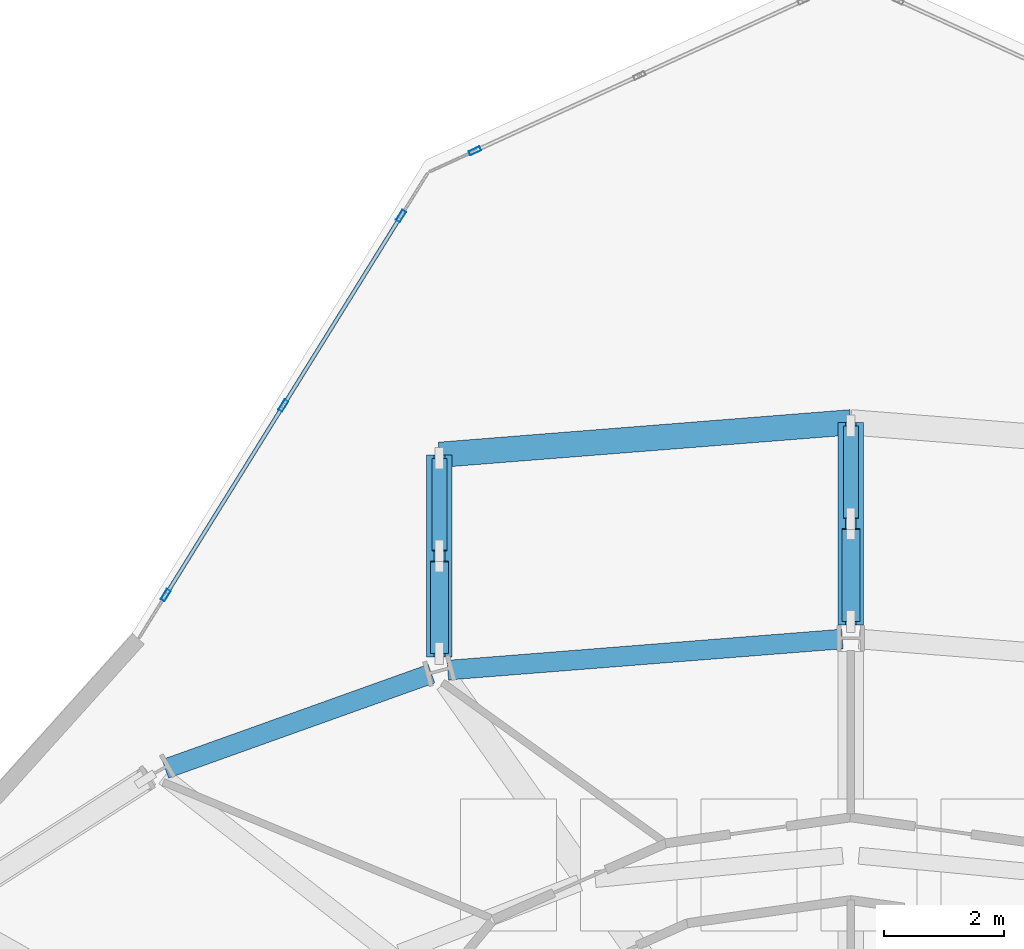
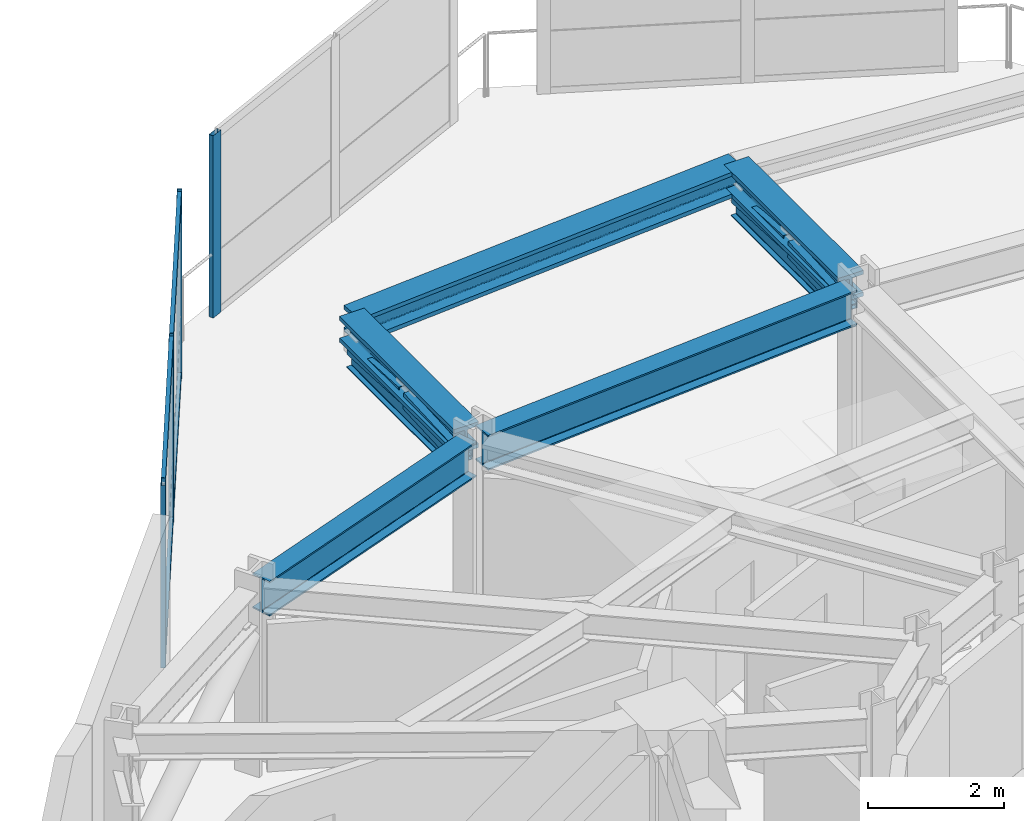
# One storey, part 8 of 19: 12 members, 7 beams, 2 elements without a shape of their own.
"""IFC4 building model written with IfcOpenShell, lengths in metres."""

from ifc_helpers import new_model, si_unit, direction, frame, origin, origin_2d, place, context, subcontext, project, spatial, hollow_rectangle, i_section, extrude, material, layer, layer_set, material_profile, profile_set, type_object, element, aggregate, save


model = new_model("IFC4")

# Units and contexts
model_context = context("Model", 3, precision=1e-05, world=origin(), true_north=direction((0.0, 1.0)))
body_context = subcontext(model_context, "Body", "Model", "MODEL_VIEW")
ifc_project = project(units=[si_unit("LENGTHUNIT", "METRE"), si_unit("AREAUNIT", "SQUARE_METRE"), si_unit("VOLUMEUNIT", "CUBIC_METRE"), si_unit("PLANEANGLEUNIT", "RADIAN"), si_unit("MASSUNIT", "GRAM", prefix="KILO")], contexts=[model_context])

# Site, building, storey
site_placement = place(None, origin())
site = spatial("IfcSite", under=ifc_project, at=site_placement, CompositionType="ELEMENT")
building_placement = place(site_placement, origin())
building = spatial("IfcBuilding", under=site, at=building_placement, Name="Solvane Sanctuary Tower", CompositionType="ELEMENT")
storey_placement = place(building_placement, frame((0.0, 0.0, 249.60009765625)))
storey = spatial("IfcBuildingStorey", under=building, at=storey_placement, Name="L76", CompositionType="ELEMENT", Elevation=249.60009765625)

# Beams
ifc_material_1 = material(Name="Steel ASTM A913 Grade 65", Category="steel")
ifc_material_profile_1 = material_profile(ifc_material_1, i_section(OverallWidth=0.422119140625, OverallDepth=0.465087890625, WebThickness=0.044921875, FlangeThickness=0.072509765625, FilletRadius=0.02490234375, at=origin_2d()), Name="W14X398")
ifc_profile_set_1 = profile_set([ifc_material_profile_1], Name="Steel ASTM A913 Grade 65")
beam_type_1 = type_object("IfcBeamType", Name="Beam B-CANT-CH W14X398", PredefinedType="BEAM", material=ifc_profile_set_1)
beam_1_placement = place(storey_placement, frame((25.143798828125, 38.36669921875, 3.08544921875), z_axis=(0.0, 1.0, 0.0), x_axis=(-1.0, 0.0, 0.0)))
element("IfcBeam", 1, at=beam_1_placement, inside=storey, type_object=beam_type_1, Name="L76 Sky-Dining Truss Top Chord C05", PredefinedType="BEAM", context=body_context, shape_type="SweptSolid", body=[
    extrude(i_section(OverallWidth=0.422119140625, OverallDepth=0.465087890625, WebThickness=0.044921875, FlangeThickness=0.072509765625, FilletRadius=0.02490234375, at=origin_2d()), origin(), (0.0, 0.0, 1.0), 3.37158203125),
])
beam_2_placement = place(storey_placement, frame((32.0, 38.90087890625, 3.08544921875), z_axis=(0.0, 1.0, 0.0), x_axis=(-1.0, 0.0, 0.0)))
element("IfcBeam", 2, at=beam_2_placement, inside=storey, type_object=beam_type_1, Name="L76 Sky-Dining Truss Top Chord C04", PredefinedType="BEAM", context=body_context, shape_type="SweptSolid", body=[
    extrude(i_section(OverallWidth=0.422119140625, OverallDepth=0.465087890625, WebThickness=0.044921875, FlangeThickness=0.072509765625, FilletRadius=0.02490234375, at=origin_2d()), origin(), (0.0, 0.0, 1.0), 3.379150390625),
])
beam_3_placement = place(storey_placement, frame((25.143798828125, 41.73828125, 3.08544921875), z_axis=(0.996892795984, 0.078770256536, 0.0), x_axis=(-0.078770256536, 0.996892795984, 0.0)))
element("IfcBeam", 3, at=beam_3_placement, inside=storey, type_object=beam_type_1, Name="L76 Sky-Dining Transverse Tie Beam 1", PredefinedType="BEAM", context=body_context, shape_type="SweptSolid", body=[
    extrude(i_section(OverallWidth=0.422119140625, OverallDepth=0.465087890625, WebThickness=0.044921875, FlangeThickness=0.072509765625, FilletRadius=0.02490234375, at=origin_2d()), origin(), (0.0, 0.0, 1.0), 6.877685546875),
])
ifc_material_2 = material(Name="Steel ASTM A992 Grade 50", Category="steel")
ifc_material_profile_2 = material_profile(ifc_material_2, i_section(OverallWidth=0.180908203125, OverallDepth=0.4169921875, WebThickness=0.010986328125, FlangeThickness=0.018310546875, FilletRadius=0.012939453125, at=origin_2d()), Name="W16X57")
ifc_profile_set_2 = profile_set([ifc_material_profile_2], Name="Steel ASTM A992 Grade 50")
beam_type_2 = type_object("IfcBeamType", Name="Beam B-ROOF-BM W16X57", PredefinedType="BEAM", material=ifc_profile_set_2)
beam_4_placement = place(storey_placement, frame((25.143798828125, 38.36669921875, 2.559814453125), z_axis=(0.0, 1.0, 0.0), x_axis=(-1.0, 0.0, 0.0)))
element("IfcBeam", 4, at=beam_4_placement, inside=storey, type_object=beam_type_2, Name="L76 Sky-Dining Truss Bottom Chord C05", PredefinedType="BEAM", context=body_context, shape_type="SweptSolid", body=[
    extrude(i_section(OverallWidth=0.180908203125, OverallDepth=0.4169921875, WebThickness=0.010986328125, FlangeThickness=0.018310546875, FilletRadius=0.012939453125, at=origin_2d()), origin(), (0.0, 0.0, 1.0), 3.37158203125),
])
beam_5_placement = place(storey_placement, frame((32.0, 38.90087890625, 2.559814453125), z_axis=(0.0, 1.0, 0.0), x_axis=(-1.0, 0.0, 0.0)))
element("IfcBeam", 5, at=beam_5_placement, inside=storey, type_object=beam_type_2, Name="L76 Sky-Dining Truss Bottom Chord C04", PredefinedType="BEAM", context=body_context, shape_type="SweptSolid", body=[
    extrude(i_section(OverallWidth=0.180908203125, OverallDepth=0.4169921875, WebThickness=0.010986328125, FlangeThickness=0.018310546875, FilletRadius=0.012939453125, at=origin_2d()), origin(), (0.0, 0.0, 1.0), 3.379150390625),
])
ifc_material_profile_3 = material_profile(ifc_material_2, i_section(OverallWidth=0.327880859375, OverallDepth=0.6279296875, WebThickness=0.0166015625, FlangeThickness=0.027587890625, FilletRadius=0.01611328125, at=origin_2d()), Name="W24X146")
ifc_profile_set_3 = profile_set([ifc_material_profile_3], Name="Steel ASTM A992 Grade 50")
beam_type_3 = type_object("IfcBeamType", Name="Beam B-SPAND-Z3 W24X146", PredefinedType="SPANDREL", material=ifc_profile_set_3)
beam_6_placement = place(storey_placement, frame((20.57666015625, 36.50439453125, 3.00390625), z_axis=(0.941570600413, 0.336815683184, 0.0), x_axis=(-0.336815683184, 0.941570600413, 0.0)))
element("IfcBeam", 6, at=beam_6_placement, inside=storey, type_object=beam_type_3, Name="L76 Perimeter Spandrel Beam TC06-TC05", PredefinedType="SPANDREL", context=body_context, shape_type="SweptSolid", body=[
    extrude(i_section(OverallWidth=0.327880859375, OverallDepth=0.6279296875, WebThickness=0.0166015625, FlangeThickness=0.027587890625, FilletRadius=0.01611328125, at=origin_2d()), origin(), (0.0, 0.0, 1.0), 4.710693359375),
])
beam_7_placement = place(storey_placement, frame((25.283447265625, 38.1494140625, 3.00390625), z_axis=(0.996894556567, 0.078747971951, 0.0), x_axis=(-0.078747971951, 0.996894556567, 0.0)))
element("IfcBeam", 7, at=beam_7_placement, inside=storey, type_object=beam_type_3, Name="L76 Perimeter Spandrel Beam TC05-TC04", PredefinedType="SPANDREL", context=body_context, shape_type="SweptSolid", body=[
    extrude(i_section(OverallWidth=0.327880859375, OverallDepth=0.6279296875, WebThickness=0.0166015625, FlangeThickness=0.027587890625, FilletRadius=0.01611328125, at=origin_2d()), origin(), (0.0, 0.0, 1.0), 6.597412109375),
])

# Members
ifc_material_profile_4 = material_profile(ifc_material_1, hollow_rectangle(XDim=0.300048828125, YDim=0.300048828125, WallThickness=0.012451171875, at=origin_2d()), Name="HSS300X300X12.5")
ifc_profile_set_4 = profile_set([ifc_material_profile_4], Name="Steel ASTM A913 Grade 65")
member_type_1 = type_object("IfcMemberType", Name="Member M-CANT-DIAG HSS300X300X12.5", PredefinedType="STRUT", material=ifc_profile_set_4)
member_1_placement = place(storey_placement, frame((25.143798828125, 38.431640625, 2.768798828125), z_axis=(0.0, 0.998643226511, 0.05207404482), x_axis=(-1.0, 0.0, 0.0)))
element("IfcMember", 8, at=member_1_placement, inside=storey, type_object=member_type_1, Name="L76 Sky-Dining Truss Diagonal C05-P1", PredefinedType="STRUT", context=body_context, shape_type="SweptSolid", body=[
    extrude(hollow_rectangle(XDim=0.300048828125, YDim=0.300048828125, WallThickness=0.012451171875, at=origin_2d()), origin(), (0.0, 0.0, 1.0), 1.533203125),
])
member_2_placement = place(storey_placement, frame((32.0, 38.966064453125, 2.768798828125), z_axis=(0.0, 0.998649252047, 0.05195836204), x_axis=(-1.0, 0.0, 0.0)))
element("IfcMember", 9, at=member_2_placement, inside=storey, type_object=member_type_1, Name="L76 Sky-Dining Truss Diagonal C04-P1", PredefinedType="STRUT", context=body_context, shape_type="SweptSolid", body=[
    extrude(hollow_rectangle(XDim=0.300048828125, YDim=0.300048828125, WallThickness=0.012451171875, at=origin_2d()), origin(), (0.0, 0.0, 1.0), 1.53662109375),
])
ifc_material_profile_5 = material_profile(ifc_material_1, hollow_rectangle(XDim=0.25, YDim=0.25, WallThickness=0.012451171875, at=origin_2d()), Name="HSS250X250X12.5")
ifc_profile_set_5 = profile_set([ifc_material_profile_5], Name="Steel ASTM A913 Grade 65")
member_type_2 = type_object("IfcMemberType", Name="Member M-CANT-POST HSS250X250X12.5", PredefinedType="POST", material=ifc_profile_set_5)
member_3_placement = place(storey_placement, frame((25.143798828125, 40.142333984375, 2.8486328125), z_axis=(0.0, 0.998643226511, -0.05207404482), x_axis=(-1.0, 0.0, 0.0)))
element("IfcMember", 10, at=member_3_placement, inside=storey, type_object=member_type_2, Name="L76 Sky-Dining Truss Web Post C05-P1", PredefinedType="POST", context=body_context, shape_type="SweptSolid", body=[
    extrude(hollow_rectangle(XDim=0.25, YDim=0.25, WallThickness=0.012451171875, at=origin_2d()), origin(), (0.0, 0.0, 1.0), 1.533203125),
])
member_4_placement = place(storey_placement, frame((32.0, 40.680419921875, 2.8486328125), z_axis=(0.0, 0.998649680907, -0.051950118622), x_axis=(-1.0, 0.0, 0.0)))
element("IfcMember", 11, at=member_4_placement, inside=storey, type_object=member_type_2, Name="L76 Sky-Dining Truss Web Post C04-P1", PredefinedType="POST", context=body_context, shape_type="SweptSolid", body=[
    extrude(hollow_rectangle(XDim=0.25, YDim=0.25, WallThickness=0.012451171875, at=origin_2d()), origin(), (0.0, 0.0, 1.0), 1.53662109375),
])

# Curtain wall, member
ifc_material_3 = material(Name="Anodised Aluminium 6063-T6", Category="aluminium")
ifc_layer = layer(ifc_material_3, 0.18994140625, Name="Anodised Aluminium 6063-T6")
ifc_layer_set = layer_set([ifc_layer], Name="Anodised Aluminium 6063-T6")
curtain_wall_type = type_object("IfcCurtainWallType", Name="Curtain Wall CW-OPER", PredefinedType="NOTDEFINED", material=ifc_layer_set)
curtain_wall_1_placement = place(storey_placement, origin())
curtain_wall_1 = element("IfcCurtainWall", 12, at=curtain_wall_1_placement, inside=storey, type_object=curtain_wall_type, Name="L76 CW-OPER Facade Run 06", PredefinedType="NOTDEFINED")
ifc_material_profile_6 = material_profile(ifc_material_3, hollow_rectangle(XDim=0.074951171875, YDim=0.199951171875, WallThickness=0.00390625, at=origin_2d()), Name="ALU200X75X4")
ifc_profile_set_6 = profile_set([ifc_material_profile_6], Name="Anodised Aluminium 6063-T6")
member_type_3 = type_object("IfcMemberType", Name="Member M-CW-MUL-1 ALU200X75X4", PredefinedType="MULLION", material=ifc_profile_set_6)
member_5_placement = place(storey_placement, frame((25.73681640625, 46.80322265625, 0.0), z_axis=(0.0, 0.0, 1.0), x_axis=(0.416224941032, -0.909261677661, 0.0)))
member_5 = element("IfcMember", 13, at=member_5_placement, type_object=member_type_3, Name="CW-OPER mullion 3", PredefinedType="MULLION", context=body_context, shape_type="SweptSolid", body=[
    extrude(hollow_rectangle(XDim=0.074951171875, YDim=0.199951171875, WallThickness=0.00390625, at=origin_2d()), origin(), (0.0, 0.0, 1.0), 3.27978515625),
])
aggregate(curtain_wall_1, [member_5])

# Curtain wall, members
curtain_wall_2_placement = place(storey_placement, origin())
curtain_wall_2 = element("IfcCurtainWall", 14, at=curtain_wall_2_placement, inside=storey, type_object=curtain_wall_type, Name="L76 CW-OPER Facade Run 07", PredefinedType="NOTDEFINED")
member_6_placement = place(storey_placement, frame((24.504638671875, 45.7177734375, 0.0), z_axis=(0.0, 0.0, 1.0), x_axis=(0.849622273102, -0.527391688453, 0.0)))
member_6 = element("IfcMember", 15, at=member_6_placement, type_object=member_type_3, Name="CW-OPER mullion 1", PredefinedType="MULLION", context=body_context, shape_type="SweptSolid", body=[
    extrude(hollow_rectangle(XDim=0.074951171875, YDim=0.199951171875, WallThickness=0.00390625, at=origin_2d()), origin(), (0.0, 0.0, 1.0), 3.27978515625),
])
member_7_placement = place(storey_placement, frame((22.54345703125, 42.558349609375, 0.0), z_axis=(0.0, 0.0, 1.0), x_axis=(0.849622273102, -0.527391688453, 0.0)))
member_7 = element("IfcMember", 16, at=member_7_placement, type_object=member_type_3, Name="CW-OPER mullion 2", PredefinedType="MULLION", context=body_context, shape_type="SweptSolid", body=[
    extrude(hollow_rectangle(XDim=0.074951171875, YDim=0.199951171875, WallThickness=0.00390625, at=origin_2d()), origin(), (0.0, 0.0, 1.0), 3.27978515625),
])
member_8_placement = place(storey_placement, frame((20.582275390625, 39.398681640625, 0.0), z_axis=(0.0, 0.0, 1.0), x_axis=(0.849622273102, -0.527391688453, 0.0)))
member_8 = element("IfcMember", 17, at=member_8_placement, type_object=member_type_3, Name="CW-OPER mullion 3", PredefinedType="MULLION", context=body_context, shape_type="SweptSolid", body=[
    extrude(hollow_rectangle(XDim=0.074951171875, YDim=0.199951171875, WallThickness=0.00390625, at=origin_2d()), origin(), (0.0, 0.0, 1.0), 3.27978515625),
])
ifc_material_profile_7 = material_profile(ifc_material_3, hollow_rectangle(XDim=0.06494140625, YDim=0.159912109375, WallThickness=0.00341796875, at=origin_2d()), Name="ALU160X65X3.5")
ifc_profile_set_7 = profile_set([ifc_material_profile_7], Name="Anodised Aluminium 6063-T6")
member_type_4 = type_object("IfcMemberType", Name="Member M-CW-TRN-1 ALU160X65X3.5", PredefinedType="USERDEFINED", material=ifc_profile_set_7)
member_9_placement = place(storey_placement, frame((24.48486328125, 45.68603515625, 0.032470703125), z_axis=(-0.527364529612, -0.849639130989, 0.0), x_axis=(0.849639130989, -0.527364529612, 0.0)))
member_9 = element("IfcMember", 18, at=member_9_placement, type_object=member_type_4, Name="CW-OPER transom 1.1", ObjectType="TRANSOM", PredefinedType="USERDEFINED", context=body_context, shape_type="SweptSolid", body=[
    extrude(hollow_rectangle(XDim=0.06494140625, YDim=0.159912109375, WallThickness=0.00341796875, at=origin_2d()), origin(), (0.0, 0.0, 1.0), 3.643798828125),
])
member_10_placement = place(storey_placement, frame((24.48486328125, 45.68603515625, 3.247314453125), z_axis=(-0.527364529612, -0.849639130989, 0.0), x_axis=(0.849639130989, -0.527364529612, 0.0)))
member_10 = element("IfcMember", 19, at=member_10_placement, type_object=member_type_4, Name="CW-OPER transom 1.2", ObjectType="TRANSOM", PredefinedType="USERDEFINED", context=body_context, shape_type="SweptSolid", body=[
    extrude(hollow_rectangle(XDim=0.06494140625, YDim=0.159912109375, WallThickness=0.00341796875, at=origin_2d()), origin(), (0.0, 0.0, 1.0), 3.643798828125),
])
member_11_placement = place(storey_placement, frame((22.523681640625, 42.5263671875, 0.032470703125), z_axis=(-0.527364529612, -0.849639130989, 0.0), x_axis=(0.849639130989, -0.527364529612, 0.0)))
member_11 = element("IfcMember", 20, at=member_11_placement, type_object=member_type_4, Name="CW-OPER transom 2.1", ObjectType="TRANSOM", PredefinedType="USERDEFINED", context=body_context, shape_type="SweptSolid", body=[
    extrude(hollow_rectangle(XDim=0.06494140625, YDim=0.159912109375, WallThickness=0.00341796875, at=origin_2d()), origin(), (0.0, 0.0, 1.0), 3.643798828125),
])
member_12_placement = place(storey_placement, frame((22.523681640625, 42.5263671875, 3.247314453125), z_axis=(-0.527364529612, -0.849639130989, 0.0), x_axis=(0.849639130989, -0.527364529612, 0.0)))
member_12 = element("IfcMember", 21, at=member_12_placement, type_object=member_type_4, Name="CW-OPER transom 2.2", ObjectType="TRANSOM", PredefinedType="USERDEFINED", context=body_context, shape_type="SweptSolid", body=[
    extrude(hollow_rectangle(XDim=0.06494140625, YDim=0.159912109375, WallThickness=0.00341796875, at=origin_2d()), origin(), (0.0, 0.0, 1.0), 3.643798828125),
])
aggregate(curtain_wall_2, [member_6, member_7, member_8, member_9, member_10, member_11, member_12])

save(model, "model.ifc")
